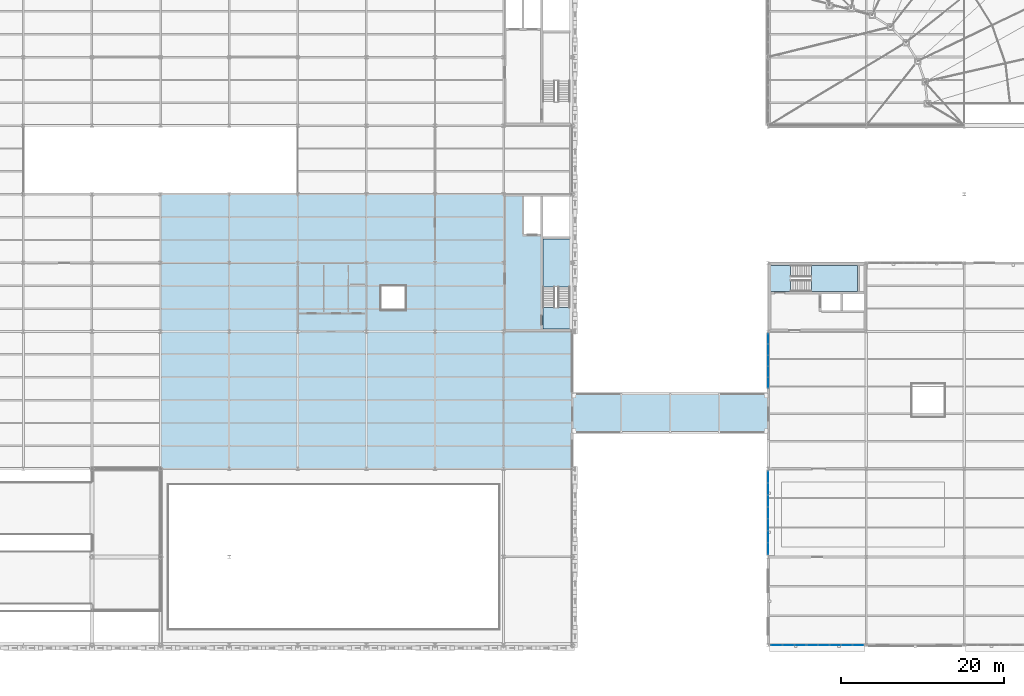
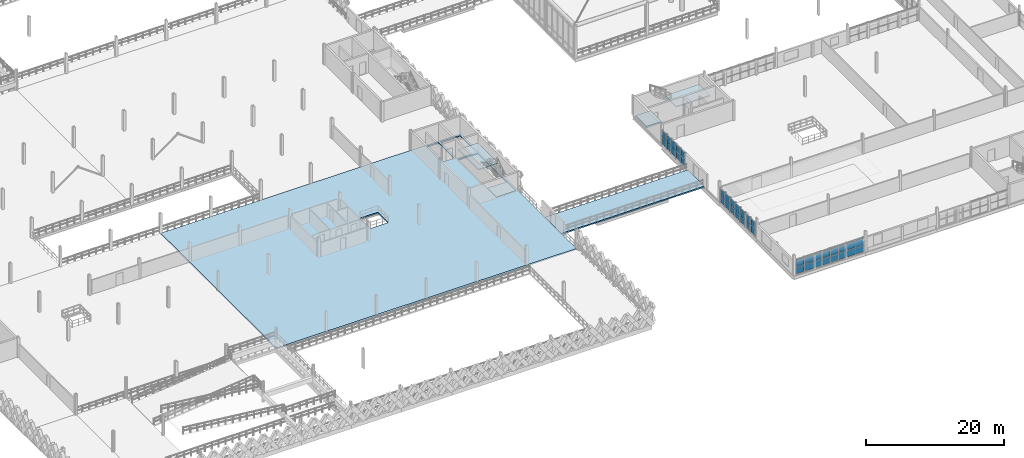
# One storey, part 66 of 101: 40 plates, 6 slabs, 6 elements without a shape of their own.
"""IFC4 building model written with IfcOpenShell, lengths in metres."""

from ifc_helpers import new_model, si_unit, direction, frame, origin, origin_2d, place, context, subcontext, project, spatial, polyline, rectangle, outline, extrude, material, layer, layer_set, type_object, element, aggregate, save


model = new_model("IFC4")

# Units and contexts
model_context = context("Model", 3, precision=1e-05, world=origin(), true_north=direction((0.0, 1.0)))
body_context = subcontext(model_context, "Body", "Model", "MODEL_VIEW")
ifc_project = project(units=[si_unit("LENGTHUNIT", "METRE"), si_unit("AREAUNIT", "SQUARE_METRE"), si_unit("VOLUMEUNIT", "CUBIC_METRE"), si_unit("PLANEANGLEUNIT", "RADIAN"), si_unit("MASSUNIT", "GRAM", prefix="KILO"), si_unit("THERMODYNAMICTEMPERATUREUNIT", "KELVIN"), si_unit("POWERUNIT", "WATT")], contexts=[model_context])

# Site, building, storey
site_placement = place(None, origin())
site = spatial("IfcSite", under=ifc_project, at=site_placement, CompositionType="ELEMENT")
building_placement = place(site_placement, origin())
building = spatial("IfcBuilding", under=site, at=building_placement, Name="Tembeka Court Mobility Hub", CompositionType="ELEMENT")
storey_placement = place(building_placement, frame((0.0, 0.0, 5.39990234375)))
storey = spatial("IfcBuildingStorey", under=building, at=storey_placement, Name="L01", CompositionType="ELEMENT", Elevation=5.39990234375)

# Curtain wall, plates
ifc_material_1 = material(Name="Anodised aluminium 6063-T6", Category="aluminium")
ifc_layer_1 = layer(ifc_material_1, 0.159912109375)
ifc_layer_set_1 = layer_set([ifc_layer_1], Name="Anodised aluminium 6063-T6")
curtain_wall_type_1 = type_object("IfcCurtainWallType", Name="CW-SYS37", PredefinedType="USERDEFINED", material=ifc_layer_set_1)
curtain_wall_1_placement = place(storey_placement, origin())
curtain_wall_1 = element("IfcCurtainWall", 1, at=curtain_wall_1_placement, inside=storey, type_object=curtain_wall_type_1, Name="Unitised curtain wall CW37 (CW-L01-105)", ObjectType="UNITISED GLAZING", PredefinedType="USERDEFINED")
ifc_material_2 = material(Name="Laminated solar-control low-E glass", Category="glass")
ifc_layer_2 = layer(ifc_material_2, 0.028076171875)
ifc_layer_set_2 = layer_set([ifc_layer_2], Name="Laminated solar-control low-E glass")
plate_type_1 = type_object("IfcPlateType", Name="PL-CW01", PredefinedType="CURTAIN_PANEL", material=ifc_layer_set_2)
plate_1_placement = place(storey_placement, frame((117.42626953125, 0.0, 0.065185546875), z_axis=(0.0, 0.0, 1.0), x_axis=(1.0, 0.0, 0.0)))
plate_1 = element("IfcPlate", 2, at=plate_1_placement, type_object=plate_type_1, Name="CW37 panel 1.1", PredefinedType="CURTAIN_PANEL", context=body_context, shape_type="SweptSolid", body=[
    extrude(rectangle(XDim=1.362548828125, YDim=0.028076171875, at=origin_2d()), origin(), (0.0, 0.0, 1.0), 1.169921875),
])
plate_2_placement = place(storey_placement, frame((117.42626953125, 0.0, 1.300048828125), z_axis=(0.0, 0.0, 1.0), x_axis=(1.0, 0.0, 0.0)))
plate_2 = element("IfcPlate", 3, at=plate_2_placement, type_object=plate_type_1, Name="CW37 panel 1.2", PredefinedType="CURTAIN_PANEL", context=body_context, shape_type="SweptSolid", body=[
    extrude(rectangle(XDim=1.362548828125, YDim=0.028076171875, at=origin_2d()), origin(), (0.0, 0.0, 1.0), 1.169921875),
])
plate_3_placement = place(storey_placement, frame((118.8701171875, 0.0, 0.065185546875), z_axis=(0.0, 0.0, 1.0), x_axis=(1.0, 0.0, 0.0)))
plate_3 = element("IfcPlate", 4, at=plate_3_placement, type_object=plate_type_1, Name="CW37 panel 2.1", PredefinedType="CURTAIN_PANEL", context=body_context, shape_type="SweptSolid", body=[
    extrude(rectangle(XDim=1.39501953125, YDim=0.028076171875, at=origin_2d()), origin(), (0.0, 0.0, 1.0), 1.169921875),
])
plate_4_placement = place(storey_placement, frame((118.8701171875, 0.0, 1.300048828125), z_axis=(0.0, 0.0, 1.0), x_axis=(1.0, 0.0, 0.0)))
plate_4 = element("IfcPlate", 5, at=plate_4_placement, type_object=plate_type_1, Name="CW37 panel 2.2", PredefinedType="CURTAIN_PANEL", context=body_context, shape_type="SweptSolid", body=[
    extrude(rectangle(XDim=1.39501953125, YDim=0.028076171875, at=origin_2d()), origin(), (0.0, 0.0, 1.0), 1.169921875),
])
plate_5_placement = place(storey_placement, frame((120.313720703125, 0.0, 0.065185546875), z_axis=(0.0, 0.0, 1.0), x_axis=(1.0, 0.0, 0.0)))
plate_5 = element("IfcPlate", 6, at=plate_5_placement, type_object=plate_type_1, Name="CW37 panel 3.1", PredefinedType="CURTAIN_PANEL", context=body_context, shape_type="SweptSolid", body=[
    extrude(rectangle(XDim=1.362548828125, YDim=0.028076171875, at=origin_2d()), origin(), (0.0, 0.0, 1.0), 1.169921875),
])
plate_6_placement = place(storey_placement, frame((120.313720703125, 0.0, 1.300048828125), z_axis=(0.0, 0.0, 1.0), x_axis=(1.0, 0.0, 0.0)))
plate_6 = element("IfcPlate", 7, at=plate_6_placement, type_object=plate_type_1, Name="CW37 panel 3.2", PredefinedType="CURTAIN_PANEL", context=body_context, shape_type="SweptSolid", body=[
    extrude(rectangle(XDim=1.362548828125, YDim=0.028076171875, at=origin_2d()), origin(), (0.0, 0.0, 1.0), 1.169921875),
])
aggregate(curtain_wall_1, [plate_1, plate_2, plate_3, plate_4, plate_5, plate_6])

ifc_layer_3 = layer(ifc_material_1, 0.159912109375)
ifc_layer_set_3 = layer_set([ifc_layer_3], Name="Anodised aluminium 6063-T6")
curtain_wall_type_2 = type_object("IfcCurtainWallType", Name="CW-SYS38", PredefinedType="USERDEFINED", material=ifc_layer_set_3)
curtain_wall_2_placement = place(storey_placement, origin())
curtain_wall_2 = element("IfcCurtainWall", 8, at=curtain_wall_2_placement, inside=storey, type_object=curtain_wall_type_2, Name="Unitised curtain wall CW38 (CW-L01-106)", ObjectType="UNITISED GLAZING", PredefinedType="USERDEFINED")
plate_7_placement = place(storey_placement, frame((121.818359375, 0.0, 0.065185546875), z_axis=(0.0, 0.0, 1.0), x_axis=(1.0, 0.0, 0.0)))
plate_7 = element("IfcPlate", 9, at=plate_7_placement, type_object=plate_type_1, Name="CW38 panel 1.1", PredefinedType="CURTAIN_PANEL", context=body_context, shape_type="SweptSolid", body=[
    extrude(rectangle(XDim=1.306396484375, YDim=0.028076171875, at=origin_2d()), origin(), (0.0, 0.0, 1.0), 1.169921875),
])
plate_8_placement = place(storey_placement, frame((121.818359375, 0.0, 1.300048828125), z_axis=(0.0, 0.0, 1.0), x_axis=(1.0, 0.0, 0.0)))
plate_8 = element("IfcPlate", 10, at=plate_8_placement, type_object=plate_type_1, Name="CW38 panel 1.2", PredefinedType="CURTAIN_PANEL", context=body_context, shape_type="SweptSolid", body=[
    extrude(rectangle(XDim=1.306396484375, YDim=0.028076171875, at=origin_2d()), origin(), (0.0, 0.0, 1.0), 1.169921875),
])
plate_9_placement = place(storey_placement, frame((123.2060546875, 0.0, 0.065185546875), z_axis=(0.0, 0.0, 1.0), x_axis=(1.0, 0.0, 0.0)))
plate_9 = element("IfcPlate", 11, at=plate_9_placement, type_object=plate_type_1, Name="CW38 panel 2.1", PredefinedType="CURTAIN_PANEL", context=body_context, shape_type="SweptSolid", body=[
    extrude(rectangle(XDim=1.339111328125, YDim=0.028076171875, at=origin_2d()), origin(), (0.0, 0.0, 1.0), 1.169921875),
])
plate_10_placement = place(storey_placement, frame((123.2060546875, 0.0, 1.300048828125), z_axis=(0.0, 0.0, 1.0), x_axis=(1.0, 0.0, 0.0)))
plate_10 = element("IfcPlate", 12, at=plate_10_placement, type_object=plate_type_1, Name="CW38 panel 2.2", PredefinedType="CURTAIN_PANEL", context=body_context, shape_type="SweptSolid", body=[
    extrude(rectangle(XDim=1.339111328125, YDim=0.028076171875, at=origin_2d()), origin(), (0.0, 0.0, 1.0), 1.169921875),
])
plate_11_placement = place(storey_placement, frame((124.610107421875, 0.0, 0.065185546875), z_axis=(0.0, 0.0, 1.0), x_axis=(1.0, 0.0, 0.0)))
plate_11 = element("IfcPlate", 13, at=plate_11_placement, type_object=plate_type_1, Name="CW38 panel 3.1", PredefinedType="CURTAIN_PANEL", context=body_context, shape_type="SweptSolid", body=[
    extrude(rectangle(XDim=1.339111328125, YDim=0.028076171875, at=origin_2d()), origin(), (0.0, 0.0, 1.0), 1.169921875),
])
plate_12_placement = place(storey_placement, frame((124.610107421875, 0.0, 1.300048828125), z_axis=(0.0, 0.0, 1.0), x_axis=(1.0, 0.0, 0.0)))
plate_12 = element("IfcPlate", 14, at=plate_12_placement, type_object=plate_type_1, Name="CW38 panel 3.2", PredefinedType="CURTAIN_PANEL", context=body_context, shape_type="SweptSolid", body=[
    extrude(rectangle(XDim=1.339111328125, YDim=0.028076171875, at=origin_2d()), origin(), (0.0, 0.0, 1.0), 1.169921875),
])
plate_13_placement = place(storey_placement, frame((126.013916015625, 0.0, 0.065185546875), z_axis=(0.0, 0.0, 1.0), x_axis=(1.0, 0.0, 0.0)))
plate_13 = element("IfcPlate", 15, at=plate_13_placement, type_object=plate_type_1, Name="CW38 panel 4.1", PredefinedType="CURTAIN_PANEL", context=body_context, shape_type="SweptSolid", body=[
    extrude(rectangle(XDim=1.339111328125, YDim=0.028076171875, at=origin_2d()), origin(), (0.0, 0.0, 1.0), 1.169921875),
])
plate_14_placement = place(storey_placement, frame((126.013916015625, 0.0, 1.300048828125), z_axis=(0.0, 0.0, 1.0), x_axis=(1.0, 0.0, 0.0)))
plate_14 = element("IfcPlate", 16, at=plate_14_placement, type_object=plate_type_1, Name="CW38 panel 4.2", PredefinedType="CURTAIN_PANEL", context=body_context, shape_type="SweptSolid", body=[
    extrude(rectangle(XDim=1.339111328125, YDim=0.028076171875, at=origin_2d()), origin(), (0.0, 0.0, 1.0), 1.169921875),
])
plate_15_placement = place(storey_placement, frame((127.40185546875, 0.0, 0.065185546875), z_axis=(0.0, 0.0, 1.0), x_axis=(1.0, 0.0, 0.0)))
plate_15 = element("IfcPlate", 17, at=plate_15_placement, type_object=plate_type_1, Name="CW38 panel 5.1", PredefinedType="CURTAIN_PANEL", context=body_context, shape_type="SweptSolid", body=[
    extrude(rectangle(XDim=1.306396484375, YDim=0.028076171875, at=origin_2d()), origin(), (0.0, 0.0, 1.0), 1.169921875),
])
plate_16_placement = place(storey_placement, frame((127.40185546875, 0.0, 1.300048828125), z_axis=(0.0, 0.0, 1.0), x_axis=(1.0, 0.0, 0.0)))
plate_16 = element("IfcPlate", 18, at=plate_16_placement, type_object=plate_type_1, Name="CW38 panel 5.2", PredefinedType="CURTAIN_PANEL", context=body_context, shape_type="SweptSolid", body=[
    extrude(rectangle(XDim=1.306396484375, YDim=0.028076171875, at=origin_2d()), origin(), (0.0, 0.0, 1.0), 1.169921875),
])
aggregate(curtain_wall_2, [plate_7, plate_8, plate_9, plate_10, plate_11, plate_12, plate_13, plate_14, plate_15, plate_16])

ifc_layer_4 = layer(ifc_material_1, 0.159912109375)
ifc_layer_set_4 = layer_set([ifc_layer_4], Name="Anodised aluminium 6063-T6")
curtain_wall_type_3 = type_object("IfcCurtainWallType", Name="CW-SYS42", PredefinedType="USERDEFINED", material=ifc_layer_set_4)
curtain_wall_3_placement = place(storey_placement, origin())
curtain_wall_3 = element("IfcCurtainWall", 19, at=curtain_wall_3_placement, inside=storey, type_object=curtain_wall_type_3, Name="Unitised curtain wall CW42 (CW-L01-117)", ObjectType="UNITISED GLAZING", PredefinedType="USERDEFINED")
plate_17_placement = place(storey_placement, frame((116.39990234375, 11.82763671875, 0.065185546875), z_axis=(0.0, 0.0, 1.0), x_axis=(0.0, 1.0, 0.0)))
plate_17 = element("IfcPlate", 20, at=plate_17_placement, type_object=plate_type_1, Name="CW42 panel 1.1", PredefinedType="CURTAIN_PANEL", context=body_context, shape_type="SweptSolid", body=[
    extrude(rectangle(XDim=1.365478515625, YDim=0.028076171875, at=origin_2d()), origin(), (0.0, 0.0, 1.0), 1.169921875),
])
plate_18_placement = place(storey_placement, frame((116.39990234375, 11.82763671875, 1.300048828125), z_axis=(0.0, 0.0, 1.0), x_axis=(0.0, 1.0, 0.0)))
plate_18 = element("IfcPlate", 21, at=plate_18_placement, type_object=plate_type_1, Name="CW42 panel 1.2", PredefinedType="CURTAIN_PANEL", context=body_context, shape_type="SweptSolid", body=[
    extrude(rectangle(XDim=1.365478515625, YDim=0.028076171875, at=origin_2d()), origin(), (0.0, 0.0, 1.0), 1.169921875),
])
plate_19_placement = place(storey_placement, frame((116.39990234375, 13.274169921875, 0.065185546875), z_axis=(0.0, 0.0, 1.0), x_axis=(0.0, 1.0, 0.0)))
plate_19 = element("IfcPlate", 22, at=plate_19_placement, type_object=plate_type_1, Name="CW42 panel 2.1", PredefinedType="CURTAIN_PANEL", context=body_context, shape_type="SweptSolid", body=[
    extrude(rectangle(XDim=1.39794921875, YDim=0.028076171875, at=origin_2d()), origin(), (0.0, 0.0, 1.0), 1.169921875),
])
plate_20_placement = place(storey_placement, frame((116.39990234375, 13.274169921875, 1.300048828125), z_axis=(0.0, 0.0, 1.0), x_axis=(0.0, 1.0, 0.0)))
plate_20 = element("IfcPlate", 23, at=plate_20_placement, type_object=plate_type_1, Name="CW42 panel 2.2", PredefinedType="CURTAIN_PANEL", context=body_context, shape_type="SweptSolid", body=[
    extrude(rectangle(XDim=1.39794921875, YDim=0.028076171875, at=origin_2d()), origin(), (0.0, 0.0, 1.0), 1.169921875),
])
plate_21_placement = place(storey_placement, frame((116.39990234375, 14.737060546875, 0.065185546875), z_axis=(0.0, 0.0, 1.0), x_axis=(0.0, 1.0, 0.0)))
plate_21 = element("IfcPlate", 24, at=plate_21_placement, type_object=plate_type_1, Name="CW42 panel 3.1", PredefinedType="CURTAIN_PANEL", context=body_context, shape_type="SweptSolid", body=[
    extrude(rectangle(XDim=1.39794921875, YDim=0.028076171875, at=origin_2d()), origin(), (0.0, 0.0, 1.0), 1.169921875),
])
plate_22_placement = place(storey_placement, frame((116.39990234375, 14.737060546875, 1.300048828125), z_axis=(0.0, 0.0, 1.0), x_axis=(0.0, 1.0, 0.0)))
plate_22 = element("IfcPlate", 25, at=plate_22_placement, type_object=plate_type_1, Name="CW42 panel 3.2", PredefinedType="CURTAIN_PANEL", context=body_context, shape_type="SweptSolid", body=[
    extrude(rectangle(XDim=1.39794921875, YDim=0.028076171875, at=origin_2d()), origin(), (0.0, 0.0, 1.0), 1.169921875),
])
plate_23_placement = place(storey_placement, frame((116.39990234375, 16.199951171875, 0.065185546875), z_axis=(0.0, 0.0, 1.0), x_axis=(0.0, 1.0, 0.0)))
plate_23 = element("IfcPlate", 26, at=plate_23_placement, type_object=plate_type_1, Name="CW42 panel 4.1", PredefinedType="CURTAIN_PANEL", context=body_context, shape_type="SweptSolid", body=[
    extrude(rectangle(XDim=1.39794921875, YDim=0.028076171875, at=origin_2d()), origin(), (0.0, 0.0, 1.0), 1.169921875),
])
plate_24_placement = place(storey_placement, frame((116.39990234375, 16.199951171875, 1.300048828125), z_axis=(0.0, 0.0, 1.0), x_axis=(0.0, 1.0, 0.0)))
plate_24 = element("IfcPlate", 27, at=plate_24_placement, type_object=plate_type_1, Name="CW42 panel 4.2", PredefinedType="CURTAIN_PANEL", context=body_context, shape_type="SweptSolid", body=[
    extrude(rectangle(XDim=1.39794921875, YDim=0.028076171875, at=origin_2d()), origin(), (0.0, 0.0, 1.0), 1.169921875),
])
plate_25_placement = place(storey_placement, frame((116.39990234375, 17.662841796875, 0.065185546875), z_axis=(0.0, 0.0, 1.0), x_axis=(0.0, 1.0, 0.0)))
plate_25 = element("IfcPlate", 28, at=plate_25_placement, type_object=plate_type_1, Name="CW42 panel 5.1", PredefinedType="CURTAIN_PANEL", context=body_context, shape_type="SweptSolid", body=[
    extrude(rectangle(XDim=1.39794921875, YDim=0.028076171875, at=origin_2d()), origin(), (0.0, 0.0, 1.0), 1.169921875),
])
plate_26_placement = place(storey_placement, frame((116.39990234375, 17.662841796875, 1.300048828125), z_axis=(0.0, 0.0, 1.0), x_axis=(0.0, 1.0, 0.0)))
plate_26 = element("IfcPlate", 29, at=plate_26_placement, type_object=plate_type_1, Name="CW42 panel 5.2", PredefinedType="CURTAIN_PANEL", context=body_context, shape_type="SweptSolid", body=[
    extrude(rectangle(XDim=1.39794921875, YDim=0.028076171875, at=origin_2d()), origin(), (0.0, 0.0, 1.0), 1.169921875),
])
plate_27_placement = place(storey_placement, frame((116.39990234375, 19.125732421875, 0.065185546875), z_axis=(0.0, 0.0, 1.0), x_axis=(0.0, 1.0, 0.0)))
plate_27 = element("IfcPlate", 30, at=plate_27_placement, type_object=plate_type_1, Name="CW42 panel 6.1", PredefinedType="CURTAIN_PANEL", context=body_context, shape_type="SweptSolid", body=[
    extrude(rectangle(XDim=1.39794921875, YDim=0.028076171875, at=origin_2d()), origin(), (0.0, 0.0, 1.0), 1.169921875),
])
plate_28_placement = place(storey_placement, frame((116.39990234375, 19.125732421875, 1.300048828125), z_axis=(0.0, 0.0, 1.0), x_axis=(0.0, 1.0, 0.0)))
plate_28 = element("IfcPlate", 31, at=plate_28_placement, type_object=plate_type_1, Name="CW42 panel 6.2", PredefinedType="CURTAIN_PANEL", context=body_context, shape_type="SweptSolid", body=[
    extrude(rectangle(XDim=1.39794921875, YDim=0.028076171875, at=origin_2d()), origin(), (0.0, 0.0, 1.0), 1.169921875),
])
plate_29_placement = place(storey_placement, frame((116.39990234375, 20.572265625, 0.065185546875), z_axis=(0.0, 0.0, 1.0), x_axis=(0.0, 1.0, 0.0)))
plate_29 = element("IfcPlate", 32, at=plate_29_placement, type_object=plate_type_1, Name="CW42 panel 7.1", PredefinedType="CURTAIN_PANEL", context=body_context, shape_type="SweptSolid", body=[
    extrude(rectangle(XDim=1.365478515625, YDim=0.028076171875, at=origin_2d()), origin(), (0.0, 0.0, 1.0), 1.169921875),
])
plate_30_placement = place(storey_placement, frame((116.39990234375, 20.572265625, 1.300048828125), z_axis=(0.0, 0.0, 1.0), x_axis=(0.0, 1.0, 0.0)))
plate_30 = element("IfcPlate", 33, at=plate_30_placement, type_object=plate_type_1, Name="CW42 panel 7.2", PredefinedType="CURTAIN_PANEL", context=body_context, shape_type="SweptSolid", body=[
    extrude(rectangle(XDim=1.365478515625, YDim=0.028076171875, at=origin_2d()), origin(), (0.0, 0.0, 1.0), 1.169921875),
])
aggregate(curtain_wall_3, [plate_17, plate_18, plate_19, plate_20, plate_21, plate_22, plate_23, plate_24, plate_25, plate_26, plate_27, plate_28, plate_29, plate_30])

ifc_layer_5 = layer(ifc_material_1, 0.159912109375)
ifc_layer_set_5 = layer_set([ifc_layer_5], Name="Anodised aluminium 6063-T6")
curtain_wall_type_4 = type_object("IfcCurtainWallType", Name="CW-SYS36", PredefinedType="USERDEFINED", material=ifc_layer_set_5)
curtain_wall_4_placement = place(storey_placement, origin())
curtain_wall_4 = element("IfcCurtainWall", 34, at=curtain_wall_4_placement, inside=storey, type_object=curtain_wall_type_4, Name="Unitised curtain wall CW36 (CW-L01-104)", ObjectType="UNITISED GLAZING", PredefinedType="USERDEFINED")
ifc_material_3 = material(Name="Insulated aluminium spandrel panel", Category="aluminium")
ifc_layer_6 = layer(ifc_material_3, 0.052001953125)
ifc_layer_set_6 = layer_set([ifc_layer_6], Name="Insulated aluminium spandrel panel")
plate_type_2 = type_object("IfcPlateType", Name="PL-CW02", PredefinedType="CURTAIN_PANEL", material=ifc_layer_set_6)
plate_31_placement = place(storey_placement, frame((116.39990234375, 32.150146484375, 0.065185546875), z_axis=(0.0, 0.0, 1.0), x_axis=(0.0, 1.0, 0.0)))
plate_31 = element("IfcPlate", 35, at=plate_31_placement, type_object=plate_type_2, Name="CW36 panel 1.1", PredefinedType="CURTAIN_PANEL", context=body_context, shape_type="SweptSolid", body=[
    extrude(rectangle(XDim=1.25048828125, YDim=0.052001953125, at=origin_2d()), origin(), (0.0, 0.0, 1.0), 1.169921875),
])
plate_32_placement = place(storey_placement, frame((116.39990234375, 32.150146484375, 1.300048828125), z_axis=(0.0, 0.0, 1.0), x_axis=(0.0, 1.0, 0.0)))
plate_32 = element("IfcPlate", 36, at=plate_32_placement, type_object=plate_type_2, Name="CW36 panel 1.2", PredefinedType="CURTAIN_PANEL", context=body_context, shape_type="SweptSolid", body=[
    extrude(rectangle(XDim=1.25048828125, YDim=0.052001953125, at=origin_2d()), origin(), (0.0, 0.0, 1.0), 1.169921875),
])
plate_33_placement = place(storey_placement, frame((116.39990234375, 33.48193359375, 0.065185546875), z_axis=(0.0, 0.0, 1.0), x_axis=(0.0, 1.0, 0.0)))
plate_33 = element("IfcPlate", 37, at=plate_33_placement, type_object=plate_type_2, Name="CW36 panel 2.1", PredefinedType="CURTAIN_PANEL", context=body_context, shape_type="SweptSolid", body=[
    extrude(rectangle(XDim=1.282958984375, YDim=0.052001953125, at=origin_2d()), origin(), (0.0, 0.0, 1.0), 1.169921875),
])
plate_34_placement = place(storey_placement, frame((116.39990234375, 33.48193359375, 1.300048828125), z_axis=(0.0, 0.0, 1.0), x_axis=(0.0, 1.0, 0.0)))
plate_34 = element("IfcPlate", 38, at=plate_34_placement, type_object=plate_type_2, Name="CW36 panel 2.2", PredefinedType="CURTAIN_PANEL", context=body_context, shape_type="SweptSolid", body=[
    extrude(rectangle(XDim=1.282958984375, YDim=0.052001953125, at=origin_2d()), origin(), (0.0, 0.0, 1.0), 1.169921875),
])
plate_35_placement = place(storey_placement, frame((116.39990234375, 34.830078125, 0.065185546875), z_axis=(0.0, 0.0, 1.0), x_axis=(0.0, 1.0, 0.0)))
plate_35 = element("IfcPlate", 39, at=plate_35_placement, type_object=plate_type_2, Name="CW36 panel 3.1", PredefinedType="CURTAIN_PANEL", context=body_context, shape_type="SweptSolid", body=[
    extrude(rectangle(XDim=1.282958984375, YDim=0.052001953125, at=origin_2d()), origin(), (0.0, 0.0, 1.0), 1.169921875),
])
plate_36_placement = place(storey_placement, frame((116.39990234375, 34.830078125, 1.300048828125), z_axis=(0.0, 0.0, 1.0), x_axis=(0.0, 1.0, 0.0)))
plate_36 = element("IfcPlate", 40, at=plate_36_placement, type_object=plate_type_2, Name="CW36 panel 3.2", PredefinedType="CURTAIN_PANEL", context=body_context, shape_type="SweptSolid", body=[
    extrude(rectangle(XDim=1.282958984375, YDim=0.052001953125, at=origin_2d()), origin(), (0.0, 0.0, 1.0), 1.169921875),
])
plate_37_placement = place(storey_placement, frame((116.39990234375, 36.177978515625, 0.065185546875), z_axis=(0.0, 0.0, 1.0), x_axis=(0.0, 1.0, 0.0)))
plate_37 = element("IfcPlate", 41, at=plate_37_placement, type_object=plate_type_2, Name="CW36 panel 4.1", PredefinedType="CURTAIN_PANEL", context=body_context, shape_type="SweptSolid", body=[
    extrude(rectangle(XDim=1.282958984375, YDim=0.052001953125, at=origin_2d()), origin(), (0.0, 0.0, 1.0), 1.169921875),
])
plate_38_placement = place(storey_placement, frame((116.39990234375, 36.177978515625, 1.300048828125), z_axis=(0.0, 0.0, 1.0), x_axis=(0.0, 1.0, 0.0)))
plate_38 = element("IfcPlate", 42, at=plate_38_placement, type_object=plate_type_2, Name="CW36 panel 4.2", PredefinedType="CURTAIN_PANEL", context=body_context, shape_type="SweptSolid", body=[
    extrude(rectangle(XDim=1.282958984375, YDim=0.052001953125, at=origin_2d()), origin(), (0.0, 0.0, 1.0), 1.169921875),
])
plate_39_placement = place(storey_placement, frame((116.39990234375, 37.509765625, 0.065185546875), z_axis=(0.0, 0.0, 1.0), x_axis=(0.0, 1.0, 0.0)))
plate_39 = element("IfcPlate", 43, at=plate_39_placement, type_object=plate_type_2, Name="CW36 panel 5.1", PredefinedType="CURTAIN_PANEL", context=body_context, shape_type="SweptSolid", body=[
    extrude(rectangle(XDim=1.25048828125, YDim=0.052001953125, at=origin_2d()), origin(), (0.0, 0.0, 1.0), 1.169921875),
])
plate_40_placement = place(storey_placement, frame((116.39990234375, 37.509765625, 1.300048828125), z_axis=(0.0, 0.0, 1.0), x_axis=(0.0, 1.0, 0.0)))
plate_40 = element("IfcPlate", 44, at=plate_40_placement, type_object=plate_type_2, Name="CW36 panel 5.2", PredefinedType="CURTAIN_PANEL", context=body_context, shape_type="SweptSolid", body=[
    extrude(rectangle(XDim=1.25048828125, YDim=0.052001953125, at=origin_2d()), origin(), (0.0, 0.0, 1.0), 1.169921875),
])
aggregate(curtain_wall_4, [plate_31, plate_32, plate_33, plate_34, plate_35, plate_36, plate_37, plate_38, plate_39, plate_40])

# Slabs
ifc_material_4 = material(Name="Concrete C40/50", Category="concrete")
ifc_layer_7 = layer(ifc_material_4, 0.22998046875)
ifc_layer_set_7 = layer_set([ifc_layer_7], Name="Concrete C40/50")
slab_type_1 = type_object("IfcSlabType", Name="SL-BR01", PredefinedType="FLOOR", material=ifc_layer_set_7)
slab_1_placement = place(storey_placement, frame((0.0, 0.0, -0.22998046875)))
element("IfcSlab", 45, at=slab_1_placement, inside=storey, type_object=slab_type_1, Name="L01 elevated court link bridge 1 deck", PredefinedType="FLOOR", context=body_context, shape_type="SweptSolid", body=[
    extrude(outline(polyline([(92.39990234375, 26.0), (116.39990234375, 26.0), (116.39990234375, 30.800048828125), (92.39990234375, 30.800048828125), (92.39990234375, 26.0)])), origin(), (0.0, 0.0, 1.0), 0.22998046875),
])
ifc_layer_8 = layer(ifc_material_4, 0.219970703125)
ifc_layer_set_8 = layer_set([ifc_layer_8], Name="Concrete C40/50")
slab_type_2 = type_object("IfcSlabType", Name="SL-FL02", PredefinedType="FLOOR", material=ifc_layer_set_8)
slab_2_placement = place(storey_placement, frame((0.0, 0.0, -0.219970703125)))
element("IfcSlab", 46, at=slab_2_placement, inside=storey, type_object=slab_type_2, Name="L01 ramped EV parking deck (V1SE)", PredefinedType="FLOOR", context=body_context, shape_type="SweptSolid", body=[
    extrude(outline(polyline([(42.0, 21.60009765625), (92.39990234375, 21.60009765625), (92.39990234375, 55.199951171875), (42.0, 55.199951171875), (42.0, 21.60009765625)]), holes=[polyline([(88.800048828125, 49.75), (92.10009765625, 49.75), (92.10009765625, 38.699951171875), (88.800048828125, 38.699951171875), (88.800048828125, 49.75)]), polyline([(86.5, 54.89990234375), (88.5, 54.89990234375), (88.5, 50.35009765625), (86.5, 50.35009765625), (86.5, 54.89990234375)]), polyline([(88.800048828125, 54.89990234375), (92.10009765625, 54.89990234375), (92.10009765625, 50.050048828125), (88.800048828125, 50.050048828125), (88.800048828125, 54.89990234375)]), polyline([(69.0, 44.0), (72.0, 44.0), (72.0, 41.0), (69.0, 41.0), (69.0, 44.0)])]), origin(), (0.0, 0.0, 1.0), 0.219970703125),
])
ifc_layer_9 = layer(ifc_material_4, 0.199951171875)
ifc_layer_set_9 = layer_set([ifc_layer_9], Name="Concrete C40/50")
slab_type_3 = type_object("IfcSlabType", Name="SL-LD01", PredefinedType="LANDING", material=ifc_layer_set_9)
slab_3_placement = place(storey_placement, frame((0.0, 0.0, -0.25)))
element("IfcSlab", 47, at=slab_3_placement, inside=storey, type_object=slab_type_3, Name="Stair ST04 L01 floor landing slab", PredefinedType="LANDING", context=body_context, shape_type="SweptSolid", body=[
    extrude(outline(polyline([(88.800048828125, 38.699951171875), (92.10009765625, 38.699951171875), (92.10009765625, 41.35009765625), (88.800048828125, 41.35009765625), (88.800048828125, 38.699951171875)])), origin(), (0.0, 0.0, 1.0), 0.25),
])

# Stair, slab
stair_type_1 = type_object("IfcStairType", Name="STR-ST04L01", PredefinedType="HALF_TURN_STAIR", material=ifc_material_4)
stair_1_placement = place(storey_placement, origin())
stair_1 = element("IfcStair", 48, at=stair_1_placement, inside=storey, type_object=stair_type_1, Name="Protected exit stair ST04 (L01)", PredefinedType="HALF_TURN_STAIR")
slab_4_placement = place(storey_placement, frame((0.0, 0.0, 1.60009765625)))
slab_4 = element("IfcSlab", 49, at=slab_4_placement, type_object=slab_type_3, Name="ST04L01 landing 1", PredefinedType="LANDING", context=body_context, shape_type="SweptSolid", body=[
    extrude(outline(polyline([(92.10009765625, 43.8701171875), (92.10009765625, 49.75), (88.800048828125, 49.75), (88.800048828125, 43.8701171875), (92.10009765625, 43.8701171875)])), origin(), (0.0, 0.0, 1.0), 0.199951171875),
])
aggregate(stair_1, [slab_4])

# Slab
slab_5_placement = place(storey_placement, frame((0.0, 0.0, -0.25)))
element("IfcSlab", 50, at=slab_5_placement, inside=storey, type_object=slab_type_3, Name="Stair ST05 L01 floor landing slab", PredefinedType="LANDING", context=body_context, shape_type="SweptSolid", body=[
    extrude(outline(polyline([(116.699951171875, 43.300048828125), (119.14990234375, 43.300048828125), (119.14990234375, 46.5), (116.699951171875, 46.5), (116.699951171875, 43.300048828125)])), origin(), (0.0, 0.0, 1.0), 0.25),
])

# Stair, slab
stair_type_2 = type_object("IfcStairType", Name="STR-ST05L01", PredefinedType="HALF_TURN_STAIR", material=ifc_material_4)
stair_2_placement = place(storey_placement, origin())
stair_2 = element("IfcStair", 51, at=stair_2_placement, inside=storey, type_object=stair_type_2, Name="Protected exit stair ST05 (L01)", PredefinedType="HALF_TURN_STAIR")
slab_6_placement = place(storey_placement, frame((0.0, 0.0, 1.60009765625)))
slab_6 = element("IfcSlab", 52, at=slab_6_placement, type_object=slab_type_3, Name="ST05L01 landing 1", PredefinedType="LANDING", context=body_context, shape_type="SweptSolid", body=[
    extrude(outline(polyline([(121.669921875, 43.300048828125), (127.300048828125, 43.300048828125), (127.300048828125, 46.5), (121.669921875, 46.5), (121.669921875, 43.300048828125)])), origin(), (0.0, 0.0, 1.0), 0.199951171875),
])
aggregate(stair_2, [slab_6])

save(model, "model.ifc")
